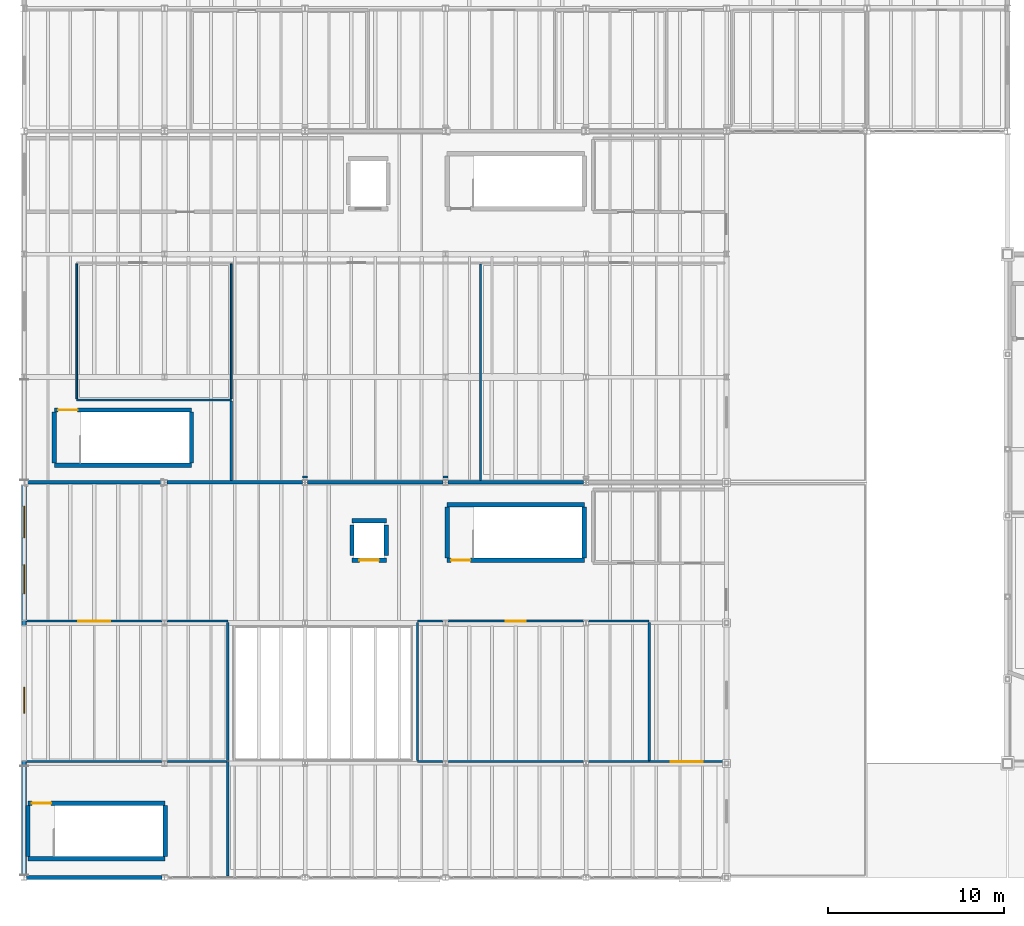
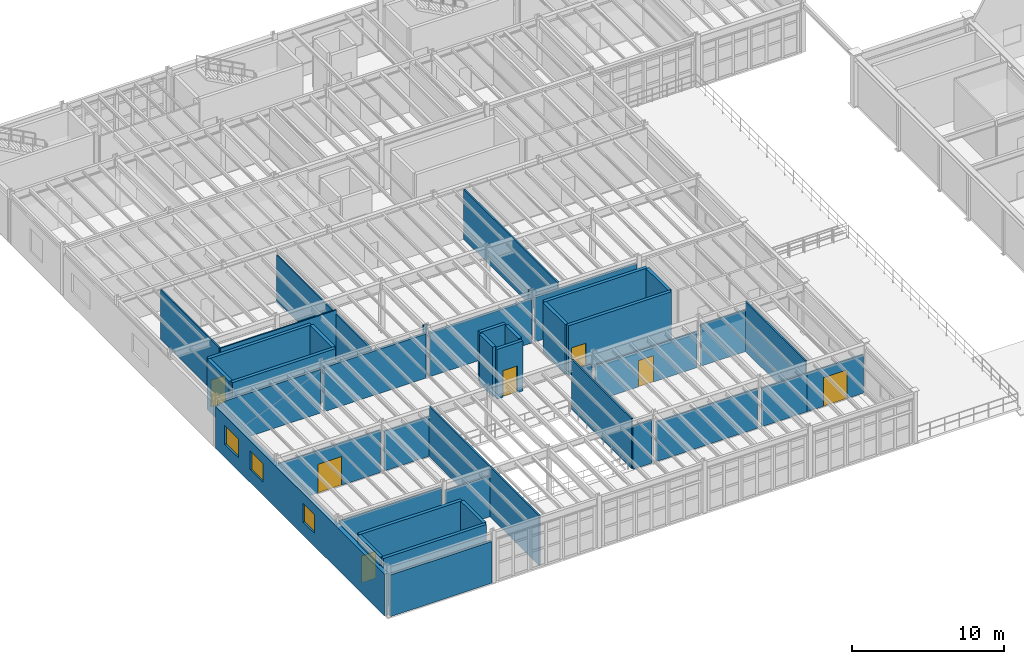
# One storey, part 58 of 78: 44 walls, 7 doors, 3 windows, 10 openings.
"""IFC4 building model written with IfcOpenShell, lengths in metres."""

import ifcopenshell
import ifcopenshell.guid

model = None  # the IFC model being written
_history = None  # IfcOwnerHistory: only IFC2X3 demands one
_inside = {}  # id of a spatial element -> (the spatial element, [elements in it])
_under = {}  # id of a project, library or spatial element -> (it, [spatial elements below it])
_declared = {}  # id of a project -> (the project, [libraries it declares])
_typed = {}  # id of a type object -> (the type object, [elements of that type])
_made_of = {}  # id of a material, layer set ... -> (it, [elements and type objects made of it])


def new_model(schema):
    """Start an empty IFC model of exactly this schema.

    Asked for "IFC4X3", IfcOpenShell would pick the latest addendum, in which some entities
    have other attributes; the version numbers below select the first issue.
    IFC2X3 requires an IfcOwnerHistory on every rooted entity: one is made here for all.
    """
    global model, _history
    if schema == "IFC4X3":
        model = ifcopenshell.file(schema_version=(4, 3, 0, 0))
    else:
        model = ifcopenshell.file(schema=schema)
    _inside.clear()
    _under.clear()
    _declared.clear()
    _typed.clear()
    _made_of.clear()
    _history = None
    if model.schema == "IFC2X3":
        org = make("IfcOrganization", Name="unknown")
        user = make(
            "IfcPersonAndOrganization",
            ThePerson=make("IfcPerson", FamilyName="unknown"),
            TheOrganization=org,
        )
        app = make(
            "IfcApplication",
            ApplicationDeveloper=org,
            Version="unknown",
            ApplicationFullName="unknown",
            ApplicationIdentifier="unknown",
        )
        _history = make(
            "IfcOwnerHistory",
            OwningUser=user,
            OwningApplication=app,
            ChangeAction="ADDED",
            CreationDate=0,
        )
    return model


def make(cls, **values):
    """One entity of the class cls with the attributes given. An attribute that is None is left unset."""
    return model.create_entity(
        cls, **{name: value for name, value in values.items() if value is not None}
    )


def rooted(cls, **values):
    """An entity with a GlobalId (a new one), such as an element, a storey or a relation."""
    return make(cls, GlobalId=ifcopenshell.guid.new(), OwnerHistory=_history, **values)


def si_unit(unit_type, name, prefix=None):
    """IfcSIUnit, for example si_unit("LENGTHUNIT", "METRE", prefix="MILLI")."""
    return make("IfcSIUnit", UnitType=unit_type, Prefix=prefix, Name=name)


def assignment(units):
    """IfcUnitAssignment: the units of a project."""
    return None if units is None else make("IfcUnitAssignment", Units=units)


def point(xyz):
    """IfcCartesianPoint."""
    return None if xyz is None else make("IfcCartesianPoint", Coordinates=xyz)


def direction(xyz):
    """IfcDirection."""
    return None if xyz is None else make("IfcDirection", DirectionRatios=xyz)


def frame(location, z_axis=None, x_axis=None):
    """IfcAxis2Placement3D, a coordinate frame: its origin and axes. An axis left out is left unset."""
    return make(
        "IfcAxis2Placement3D",
        Location=point(location),
        Axis=direction(z_axis),
        RefDirection=direction(x_axis),
    )


def frame_2d(location, x_axis=None):
    """IfcAxis2Placement2D, a coordinate frame in the plane: its origin and x axis."""
    return make(
        "IfcAxis2Placement2D", Location=point(location), RefDirection=direction(x_axis)
    )


def origin():
    """The frame at (0, 0, 0) with its axes left unset."""
    return frame((0.0, 0.0, 0.0))


def place(relative_to, where):
    """IfcLocalPlacement: puts the frame where relative to a parent placement (None: the world)."""
    return make(
        "IfcLocalPlacement", PlacementRelTo=relative_to, RelativePlacement=where
    )


def context(
    kind, dimensions, precision=None, world=None, true_north=None, identifier=None
):
    """IfcGeometricRepresentationContext, for example the 3D "Model" context."""
    return make(
        "IfcGeometricRepresentationContext",
        ContextIdentifier=identifier,
        ContextType=kind,
        CoordinateSpaceDimension=dimensions,
        Precision=precision,
        WorldCoordinateSystem=world,
        TrueNorth=true_north,
    )


def subcontext(parent, identifier, kind, view, scale=None):
    """IfcGeometricRepresentationSubContext, for example "Body" below "Model"."""
    return make(
        "IfcGeometricRepresentationSubContext",
        ContextIdentifier=identifier,
        ContextType=kind,
        ParentContext=parent,
        TargetScale=scale,
        TargetView=view,
    )


def project(units=None, contexts=None):
    """IfcProject with its units and contexts."""
    return rooted(
        "IfcProject",
        Name="project",
        RepresentationContexts=contexts,
        UnitsInContext=assignment(units),
    )


def spatial(cls, under=None, at=None, **own):
    """A site, building, storey or space (cls), placed at a placement, below another one or the project."""
    s = rooted(cls, ObjectPlacement=at, **own)
    if under is not None:
        _under.setdefault(under.id(), (under, []))[1].append(s)
    return s


def profile(cls, at=None, kind="AREA", **sizes):
    """A parametric profile (cls). Its sizes go by their IFC names, for example OverallWidth=200.0."""
    return make(cls, ProfileType=kind, Position=at, **sizes)


def rectangle(**sizes):
    """IfcRectangleProfileDef."""
    return profile("IfcRectangleProfileDef", **sizes)


def extrude(swept, where, along, depth):
    """IfcExtrudedAreaSolid: the profile swept, set in the frame where, extruded along a direction by depth."""
    return make(
        "IfcExtrudedAreaSolid",
        SweptArea=swept,
        Position=where,
        ExtrudedDirection=direction(along),
        Depth=depth,
    )


def shape(context_of_items, identifier, shape_type, items):
    """IfcShapeRepresentation: the items that make up one representation, for example the "Body"."""
    return make(
        "IfcShapeRepresentation",
        ContextOfItems=context_of_items,
        RepresentationIdentifier=identifier,
        RepresentationType=shape_type,
        Items=items,
    )


def material(Name=None, Category=None):
    """IfcMaterial."""
    return make("IfcMaterial", Name=Name, Category=Category)


def layer(
    of_material, thickness, ventilated=None, Name=None, Category=None, Priority=None
):
    """IfcMaterialLayer: one layer of a wall or slab, of a material (None: an air gap)."""
    return make(
        "IfcMaterialLayer",
        Material=of_material,
        LayerThickness=thickness,
        IsVentilated=ventilated,
        Name=Name,
        Category=Category,
        Priority=Priority,
    )


def layer_set(layers, Name=None):
    """IfcMaterialLayerSet."""
    return make("IfcMaterialLayerSet", MaterialLayers=layers, LayerSetName=Name)


def made_of(thing, what):
    """Note that an element or type object is made of a material, layer set ...; save() writes the relation."""
    if what is not None:
        _made_of.setdefault(what.id(), (what, []))[1].append(thing)
    return thing


def type_object(cls, material=None, **own):
    """A type object (cls), such as IfcWallType, which elements share."""
    return made_of(rooted(cls, **own), material)


def element(
    cls,
    number,
    at=None,
    inside=None,
    cuts=None,
    type_object=None,
    material=None,
    context=None,
    identifier="Body",
    shape_type=None,
    held_by="IfcProductDefinitionShape",
    body=None,
    shapes=None,
    **own,
):
    """One element of the class cls, such as IfcWall. Its Tag is "e" and its number.

    at: its placement. inside: the storey or other place that contains it. cuts: it is an
    opening in that element (IfcRelVoidsElement). A single representation is given by context,
    identifier, shape_type and body (its items); several are given by shapes. held_by: the class
    of the entity that holds the representations. save() writes the other relations.
    """
    e = rooted(cls, Tag="e%d" % number, ObjectPlacement=at, **own)
    if body is not None:
        shapes = [shape(context, identifier, shape_type, body)]
    if shapes is not None:
        e.Representation = make(held_by, Representations=shapes)
    if inside is not None:
        _inside.setdefault(inside.id(), (inside, []))[1].append(e)
    if cuts is not None:
        rooted(
            "IfcRelVoidsElement", RelatingBuildingElement=cuts, RelatedOpeningElement=e
        )
    if type_object is not None:
        _typed.setdefault(type_object.id(), (type_object, []))[1].append(e)
    return made_of(e, material)


def fill(opening, filler):
    """IfcRelFillsElement: the door or window that sits in an opening."""
    return rooted(
        "IfcRelFillsElement",
        RelatingOpeningElement=opening,
        RelatedBuildingElement=filler,
    )


def aggregate(whole, parts):
    """IfcRelAggregates: a whole, such as a stair, and the parts it consists of."""
    return rooted("IfcRelAggregates", RelatingObject=whole, RelatedObjects=parts)


def save(model, path):
    """Write the relations noted so far, then the file.

    IfcRelAggregates (storeys below a building ...), IfcRelContainedInSpatialStructure (elements
    in a storey), IfcRelDefinesByType, IfcRelAssociatesMaterial and IfcRelDeclares: one each for
    every whole, place, type object, material and project.
    """
    for whole, parts in _under.values():
        aggregate(whole, parts)
    for where, things in _inside.values():
        rooted(
            "IfcRelContainedInSpatialStructure",
            RelatedElements=things,
            RelatingStructure=where,
        )
    for kind, things in _typed.values():
        rooted("IfcRelDefinesByType", RelatedObjects=things, RelatingType=kind)
    for what, things in _made_of.values():
        rooted("IfcRelAssociatesMaterial", RelatedObjects=things, RelatingMaterial=what)
    for by, libraries in _declared.values():
        rooted("IfcRelDeclares", RelatingContext=by, RelatedDefinitions=libraries)
    model.write(path)


model = new_model("IFC4")

# Units and contexts
model_context = context("Model", 3, precision=1e-05, world=origin(), true_north=direction((0.0, 1.0)))
body_context = subcontext(model_context, "Body", "Model", "MODEL_VIEW")
ifc_project = project(units=[si_unit("LENGTHUNIT", "METRE"), si_unit("AREAUNIT", "SQUARE_METRE"), si_unit("VOLUMEUNIT", "CUBIC_METRE"), si_unit("PLANEANGLEUNIT", "RADIAN"), si_unit("MASSUNIT", "GRAM", prefix="KILO"), si_unit("THERMODYNAMICTEMPERATUREUNIT", "KELVIN"), si_unit("POWERUNIT", "WATT")], contexts=[model_context])

# Site, building, storey
site_placement = place(None, origin())
site = spatial("IfcSite", under=ifc_project, at=site_placement, CompositionType="ELEMENT")
building_placement = place(site_placement, origin())
building = spatial("IfcBuilding", under=site, at=building_placement, Name="Zhenchuan Central Fire Station", CompositionType="ELEMENT")
storey_placement = place(building_placement, frame((0.0, 0.0, 5.85009765625)))
storey = spatial("IfcBuildingStorey", under=building, at=storey_placement, Name="L02", CompositionType="ELEMENT", Elevation=5.85009765625)

# Wall, openings, windows
ifc_material_1 = material(Name="Sintered clay brick masonry MU15", Category="masonry")
ifc_layer_1 = layer(ifc_material_1, 0.300048828125, Name="Sintered clay brick masonry MU15", Category="masonry")
ifc_layer_set_1 = layer_set([ifc_layer_1], Name="Sintered clay brick masonry MU15")
wall_type_1 = type_object("IfcWallType", Name="EW-BRK300", PredefinedType="SOLIDWALL", material=ifc_layer_set_1)
wall_1_placement = place(storey_placement, frame((0.0, 0.14990234375, 0.0), z_axis=(0.0, 0.0, 1.0), x_axis=(0.0, 1.0, 0.0)))
wall_1 = element("IfcWall", 1, at=wall_1_placement, inside=storey, type_object=wall_type_1, Name="EW-L02-V5W", PredefinedType="SOLIDWALL", context=body_context, shape_type="SweptSolid", body=[
    extrude(rectangle(XDim=22.2001953125, YDim=0.300048828125, at=frame_2d((11.10009765625, 0.0))), origin(), (0.0, 0.0, 1.0), 3.343994140625),
])
opening_1_placement = place(wall_1_placement, frame((9.199951171875, 0.0, 1.050048828125)))
opening_1 = element("IfcOpeningElement", 2, at=opening_1_placement, cuts=wall_1, Name="Opening W-16", PredefinedType="OPENING", context=body_context, shape_type="SweptSolid", body=[
    extrude(rectangle(XDim=1.5, YDim=1.5, at=frame_2d((0.75, 0.75))), frame((0.0, 0.159912109375, 0.0), z_axis=(0.0, -1.0, 0.0), x_axis=(1.0, 0.0, 0.0)), (0.0, 0.0, 1.0), 0.320068359375),
])
opening_2_placement = place(wall_1_placement, frame((16.0, 0.0, 1.050048828125)))
opening_2 = element("IfcOpeningElement", 3, at=opening_2_placement, cuts=wall_1, Name="Opening W-17", PredefinedType="OPENING", context=body_context, shape_type="SweptSolid", body=[
    extrude(rectangle(XDim=1.64990234375, YDim=1.5, at=frame_2d((0.824951171875, 0.75))), frame((0.0, 0.159912109375, 0.0), z_axis=(0.0, -1.0, 0.0), x_axis=(1.0, 0.0, 0.0)), (0.0, 0.0, 1.0), 0.320068359375),
])
opening_3_placement = place(wall_1_placement, frame((19.199951171875, 0.0, 1.050048828125)))
opening_3 = element("IfcOpeningElement", 4, at=opening_3_placement, cuts=wall_1, Name="Opening W-18", PredefinedType="OPENING", context=body_context, shape_type="SweptSolid", body=[
    extrude(rectangle(XDim=1.800048828125, YDim=1.5, at=frame_2d((0.89990234375, 0.75))), frame((0.0, 0.159912109375, 0.0), z_axis=(0.0, -1.0, 0.0), x_axis=(1.0, 0.0, 0.0)), (0.0, 0.0, 1.0), 0.320068359375),
])
ifc_material_2 = material(Name="Laminated low-E double glazing in aluminium frame", Category="aluminium")
window_type_1 = type_object("IfcWindowType", Name="WN-16", PartitioningType="SINGLE_PANEL", PredefinedType="WINDOW", material=ifc_material_2)
window_1_placement = place(opening_1_placement, origin())
window_1 = element("IfcWindow", 5, at=window_1_placement, inside=storey, type_object=window_type_1, Name="Exterior Window 0041", OverallHeight=1.5, OverallWidth=1.5, PartitioningType="SINGLE_PANEL", PredefinedType="WINDOW", context=body_context, shape_type="SweptSolid", body=[
    extrude(rectangle(XDim=1.5, YDim=1.5, at=frame_2d((0.75, 0.75))), frame((0.0, 0.030029296875, 0.0), z_axis=(0.0, -1.0, 0.0), x_axis=(1.0, 0.0, 0.0)), (0.0, 0.0, 1.0), 0.06005859375),
])
fill(opening_1, window_1)
window_type_2 = type_object("IfcWindowType", Name="WN-17", PartitioningType="SINGLE_PANEL", PredefinedType="WINDOW", material=ifc_material_2)
window_2_placement = place(opening_2_placement, origin())
window_2 = element("IfcWindow", 6, at=window_2_placement, inside=storey, type_object=window_type_2, Name="Exterior Window 0042", OverallHeight=1.5, OverallWidth=1.64990234375, PartitioningType="SINGLE_PANEL", PredefinedType="WINDOW", context=body_context, shape_type="SweptSolid", body=[
    extrude(rectangle(XDim=1.64990234375, YDim=1.5, at=frame_2d((0.824951171875, 0.75))), frame((0.0, 0.030029296875, 0.0), z_axis=(0.0, -1.0, 0.0), x_axis=(1.0, 0.0, 0.0)), (0.0, 0.0, 1.0), 0.06005859375),
])
fill(opening_2, window_2)
window_type_3 = type_object("IfcWindowType", Name="WN-18", PartitioningType="SINGLE_PANEL", PredefinedType="WINDOW", material=ifc_material_2)
window_3_placement = place(opening_3_placement, origin())
window_3 = element("IfcWindow", 7, at=window_3_placement, inside=storey, type_object=window_type_3, Name="Exterior Window 0043", OverallHeight=1.5, OverallWidth=1.800048828125, PartitioningType="SINGLE_PANEL", PredefinedType="WINDOW", context=body_context, shape_type="SweptSolid", body=[
    extrude(rectangle(XDim=1.800048828125, YDim=1.5, at=frame_2d((0.89990234375, 0.75))), frame((0.0, 0.030029296875, 0.0), z_axis=(0.0, -1.0, 0.0), x_axis=(1.0, 0.0, 0.0)), (0.0, 0.0, 1.0), 0.06005859375),
])
fill(opening_3, window_3)

# Walls
ifc_material_3 = material(Name="Precast concrete C40/50", Category="concrete")
ifc_layer_2 = layer(ifc_material_3, 0.219970703125, Name="Precast concrete C40/50", Category="concrete")
ifc_layer_set_2 = layer_set([ifc_layer_2], Name="Precast concrete C40/50")
wall_type_2 = type_object("IfcWallType", Name="EW-PRC220", PredefinedType="SOLIDWALL", material=ifc_layer_set_2)
wall_2_placement = place(storey_placement, frame((0.14990234375, 0.0, 0.0), z_axis=(0.0, 0.0, 1.0), x_axis=(1.0, 0.0, 0.0)))
element("IfcWall", 8, at=wall_2_placement, inside=storey, type_object=wall_type_2, Name="EW-L02-V5S-1", PredefinedType="SOLIDWALL", context=body_context, shape_type="SweptSolid", body=[
    extrude(rectangle(XDim=7.7001953125, YDim=0.219970703125, at=frame_2d((3.85009765625, 0.0))), origin(), (0.0, 0.0, 1.0), 3.343994140625),
])
ifc_material_4 = material(Name="Autoclaved aerated concrete blockwork", Category="masonry")
ifc_layer_3 = layer(ifc_material_4, 0.199951171875, Name="Autoclaved aerated concrete blockwork", Category="masonry")
ifc_layer_set_3 = layer_set([ifc_layer_3], Name="Autoclaved aerated concrete blockwork")
wall_type_3 = type_object("IfcWallType", Name="IW-FIR200", PredefinedType="PARTITIONING", material=ifc_layer_set_3)
wall_3_placement = place(storey_placement, frame((0.152099609375, 22.5, 0.0), z_axis=(0.0, 0.0, 1.0), x_axis=(1.0, 0.0, 0.0)))
element("IfcWall", 9, at=wall_3_placement, inside=storey, type_object=wall_type_3, Name="L02 Gallery-Workshop Fire Compartment Wall X=0..8", PredefinedType="PARTITIONING", context=body_context, shape_type="SweptSolid", body=[
    extrude(rectangle(XDim=7.69580078125, YDim=0.199951171875, at=frame_2d((3.847900390625, 0.0))), origin(), (0.0, 0.0, 1.0), 3.493896484375),
])
wall_4_placement = place(storey_placement, frame((8.152099609375, 22.5, 0.0), z_axis=(0.0, 0.0, 1.0), x_axis=(1.0, 0.0, 0.0)))
element("IfcWall", 10, at=wall_4_placement, inside=storey, type_object=wall_type_3, Name="L02 Gallery-Workshop Fire Compartment Wall X=8..16", PredefinedType="PARTITIONING", context=body_context, shape_type="SweptSolid", body=[
    extrude(rectangle(XDim=7.69580078125, YDim=0.199951171875, at=frame_2d((3.847900390625, 0.0))), origin(), (0.0, 0.0, 1.0), 3.5439453125),
])
wall_5_placement = place(storey_placement, frame((16.152099609375, 22.5, 0.0), z_axis=(0.0, 0.0, 1.0), x_axis=(1.0, 0.0, 0.0)))
element("IfcWall", 11, at=wall_5_placement, inside=storey, type_object=wall_type_3, Name="L02 Gallery-Workshop Fire Compartment Wall X=16..24", PredefinedType="PARTITIONING", context=body_context, shape_type="SweptSolid", body=[
    extrude(rectangle(XDim=7.69580078125, YDim=0.199951171875, at=frame_2d((3.847900390625, 0.0))), origin(), (0.0, 0.0, 1.0), 3.493896484375),
])
wall_6_placement = place(storey_placement, frame((24.152099609375, 22.5, 0.0), z_axis=(0.0, 0.0, 1.0), x_axis=(1.0, 0.0, 0.0)))
element("IfcWall", 12, at=wall_6_placement, inside=storey, type_object=wall_type_3, Name="L02 Gallery-Workshop Fire Compartment Wall X=24..32", PredefinedType="PARTITIONING", context=body_context, shape_type="SweptSolid", body=[
    extrude(rectangle(XDim=7.69580078125, YDim=0.199951171875, at=frame_2d((3.847900390625, 0.0))), origin(), (0.0, 0.0, 1.0), 3.553955078125),
])
ifc_material_5 = material(Name="Gypsum plasterboard on steel studs", Category="gypsum")
ifc_layer_4 = layer(ifc_material_5, 0.10009765625, Name="Gypsum plasterboard on steel studs", Category="gypsum")
ifc_layer_set_4 = layer_set([ifc_layer_4], Name="Gypsum plasterboard on steel studs")
wall_type_4 = type_object("IfcWallType", Name="IW-GYP100", PredefinedType="PARTITIONING", material=ifc_layer_set_4)
wall_7_placement = place(storey_placement, frame((3.0, 27.199951171875, 0.0), z_axis=(0.0, 0.0, 1.0), x_axis=(1.0, 0.0, 0.0)))
element("IfcWall", 13, at=wall_7_placement, inside=storey, type_object=wall_type_4, Name="Confined Search Training Maze S Partition", PredefinedType="PARTITIONING", context=body_context, shape_type="SweptSolid", body=[
    extrude(rectangle(XDim=8.800048828125, YDim=0.10009765625, at=frame_2d((4.39990234375, 0.0))), origin(), (0.0, 0.0, 1.0), 4.0),
])
wall_8_placement = place(storey_placement, frame((3.0, 27.2529296875, 0.0), z_axis=(0.0, 0.0, 1.0), x_axis=(0.0, 1.0, 0.0)))
element("IfcWall", 14, at=wall_8_placement, inside=storey, type_object=wall_type_4, Name="Confined Search Training Maze W Partition", PredefinedType="PARTITIONING", context=body_context, shape_type="SweptSolid", body=[
    extrude(rectangle(XDim=7.694091796875, YDim=0.10009765625, at=frame_2d((3.84716796875, 0.0))), origin(), (0.0, 0.0, 1.0), 4.0),
])
wall_9_placement = place(storey_placement, frame((11.800048828125, 27.2529296875, 0.0), z_axis=(0.0, 0.0, 1.0), x_axis=(0.0, 1.0, 0.0)))
element("IfcWall", 15, at=wall_9_placement, inside=storey, type_object=wall_type_4, Name="Confined Search Training Maze E Partition", PredefinedType="PARTITIONING", context=body_context, shape_type="SweptSolid", body=[
    extrude(rectangle(XDim=7.694091796875, YDim=0.10009765625, at=frame_2d((3.84716796875, 0.0))), origin(), (0.0, 0.0, 1.0), 3.69384765625),
])
ifc_layer_5 = layer(ifc_material_5, 0.1201171875, Name="Gypsum plasterboard on steel studs", Category="gypsum")
ifc_layer_set_5 = layer_set([ifc_layer_5], Name="Gypsum plasterboard on steel studs")
wall_type_5 = type_object("IfcWallType", Name="IW-GYP120", PredefinedType="PARTITIONING", material=ifc_layer_set_5)
wall_10_placement = place(storey_placement, frame((11.60009765625, 0.0830078125, 0.0), z_axis=(0.0, 0.0, 1.0), x_axis=(0.0, 1.0, 0.0)))
element("IfcWall", 16, at=wall_10_placement, inside=storey, type_object=wall_type_5, Name="Upper Safety Interactive Gallery W Partition", PredefinedType="PARTITIONING", context=body_context, shape_type="SweptSolid", body=[
    extrude(rectangle(XDim=6.51708984375, YDim=0.1201171875, at=frame_2d((3.258544921875, 0.0))), origin(), (0.0, 0.0, 1.0), 4.0),
])

# Wall, opening, door
wall_11_placement = place(storey_placement, frame((35.60009765625, 6.60009765625, 0.0), z_axis=(0.0, 0.0, 1.0), x_axis=(1.0, 0.0, 0.0)))
wall_11 = element("IfcWall", 17, at=wall_11_placement, inside=storey, type_object=wall_type_5, Name="Upper Safety Interactive Gallery N Partition", PredefinedType="PARTITIONING", context=body_context, shape_type="SweptSolid", body=[
    extrude(rectangle(XDim=4.27197265625, YDim=0.1201171875, at=frame_2d((2.135986328125, 0.0))), origin(), (0.0, 0.0, 1.0), 3.093994140625),
])
opening_4_placement = place(wall_11_placement, frame((1.236083984375, 0.0, 0.0)))
opening_4 = element("IfcOpeningElement", 18, at=opening_4_placement, cuts=wall_11, Name="Opening D-120", PredefinedType="OPENING", context=body_context, shape_type="SweptSolid", body=[
    extrude(rectangle(XDim=1.800048828125, YDim=2.300048828125, at=frame_2d((0.89990234375, 1.14990234375))), frame((0.0, 0.070068359375, 0.0), z_axis=(0.0, -1.0, 0.0), x_axis=(1.0, 0.0, 0.0)), (0.0, 0.0, 1.0), 0.14013671875),
])
ifc_material_6 = material(Name="Acoustic timber double assembly door", Category="wood")
door_type_1 = type_object("IfcDoorType", Name="ID-LEC-180x230", OperationType="NOTDEFINED", PredefinedType="DOOR", material=ifc_material_6)
door_1_placement = place(opening_4_placement, origin())
door_1 = element("IfcDoor", 19, at=door_1_placement, inside=storey, type_object=door_type_1, Name="Upper Safety Interactive Gallery Door", OperationType="SINGLE_SWING_RIGHT", OverallHeight=2.300048828125, OverallWidth=1.800048828125, PredefinedType="DOOR", context=body_context, shape_type="SweptSolid", body=[
    extrude(rectangle(XDim=1.800048828125, YDim=2.300048828125, at=frame_2d((0.89990234375, 1.14990234375))), frame((0.0, 0.02490234375, 0.0), z_axis=(0.0, -1.0, 0.0), x_axis=(1.0, 0.0, 0.0)), (0.0, 0.0, 1.0), 0.050048828125),
])
fill(opening_4, door_1)

# Walls
wall_12_placement = place(storey_placement, frame((0.153076171875, 6.60009765625, 0.0), z_axis=(0.0, 0.0, 1.0), x_axis=(1.0, 0.0, 0.0)))
element("IfcWall", 20, at=wall_12_placement, inside=storey, type_object=wall_type_5, Name="Upper Theatre Projection Booth S Partition 1", PredefinedType="PARTITIONING", context=body_context, shape_type="SweptSolid", body=[
    extrude(rectangle(XDim=7.69384765625, YDim=0.1201171875, at=frame_2d((3.846923828125, 0.0))), origin(), (0.0, 0.0, 1.0), 3.65380859375),
])
wall_13_placement = place(storey_placement, frame((8.153076171875, 6.60009765625, 0.0), z_axis=(0.0, 0.0, 1.0), x_axis=(1.0, 0.0, 0.0)))
element("IfcWall", 21, at=wall_13_placement, inside=storey, type_object=wall_type_5, Name="Upper Theatre Projection Booth S Partition 2", PredefinedType="PARTITIONING", context=body_context, shape_type="SweptSolid", body=[
    extrude(rectangle(XDim=3.384033203125, YDim=0.1201171875, at=frame_2d((1.69189453125, 0.0))), origin(), (0.0, 0.0, 1.0), 3.2939453125),
])

# Wall, opening, door
wall_14_placement = place(storey_placement, frame((0.153076171875, 14.60009765625, 0.0), z_axis=(0.0, 0.0, 1.0), x_axis=(1.0, 0.0, 0.0)))
wall_14 = element("IfcWall", 22, at=wall_14_placement, inside=storey, type_object=wall_type_5, Name="Upper Theatre Projection Booth N Partition 1", PredefinedType="PARTITIONING", context=body_context, shape_type="SweptSolid", body=[
    extrude(rectangle(XDim=7.69384765625, YDim=0.1201171875, at=frame_2d((3.846923828125, 0.0))), origin(), (0.0, 0.0, 1.0), 3.406005859375),
])
opening_5_placement = place(wall_14_placement, frame((2.947021484375, 0.0, 0.0)))
opening_5 = element("IfcOpeningElement", 23, at=opening_5_placement, cuts=wall_14, Name="Opening D-121", PredefinedType="OPENING", context=body_context, shape_type="SweptSolid", body=[
    extrude(rectangle(XDim=1.800048828125, YDim=2.300048828125, at=frame_2d((0.89990234375, 1.14990234375))), frame((0.0, 0.070068359375, 0.0), z_axis=(0.0, -1.0, 0.0), x_axis=(1.0, 0.0, 0.0)), (0.0, 0.0, 1.0), 0.14013671875),
])
door_2_placement = place(opening_5_placement, origin())
door_2 = element("IfcDoor", 24, at=door_2_placement, inside=storey, type_object=door_type_1, Name="Upper Theatre Projection Booth Door", OperationType="SINGLE_SWING_LEFT", OverallHeight=2.300048828125, OverallWidth=1.800048828125, PredefinedType="DOOR", context=body_context, shape_type="SweptSolid", body=[
    extrude(rectangle(XDim=1.800048828125, YDim=2.300048828125, at=frame_2d((0.89990234375, 1.14990234375))), frame((0.0, 0.02490234375, 0.0), z_axis=(0.0, -1.0, 0.0), x_axis=(1.0, 0.0, 0.0)), (0.0, 0.0, 1.0), 0.050048828125),
])
fill(opening_5, door_2)

# Walls
wall_15_placement = place(storey_placement, frame((8.153076171875, 14.60009765625, 0.0), z_axis=(0.0, 0.0, 1.0), x_axis=(1.0, 0.0, 0.0)))
element("IfcWall", 25, at=wall_15_placement, inside=storey, type_object=wall_type_5, Name="Upper Theatre Projection Booth N Partition 2", PredefinedType="PARTITIONING", context=body_context, shape_type="SweptSolid", body=[
    extrude(rectangle(XDim=3.447021484375, YDim=0.1201171875, at=frame_2d((1.7236328125, 0.0))), origin(), (0.0, 0.0, 1.0), 3.19384765625),
])
wall_16_placement = place(storey_placement, frame((11.60009765625, 6.6630859375, 0.0), z_axis=(0.0, 0.0, 1.0), x_axis=(0.0, 1.0, 0.0)))
element("IfcWall", 26, at=wall_16_placement, inside=storey, type_object=wall_type_5, Name="Upper Theatre Projection Booth E Partition", PredefinedType="PARTITIONING", context=body_context, shape_type="SweptSolid", body=[
    extrude(rectangle(XDim=7.8740234375, YDim=0.1201171875, at=frame_2d((3.93701171875, 0.0))), origin(), (0.0, 0.0, 1.0), 4.0),
])
wall_17_placement = place(storey_placement, frame((22.39990234375, 6.60009765625, 0.0), z_axis=(0.0, 0.0, 1.0), x_axis=(1.0, 0.0, 0.0)))
element("IfcWall", 27, at=wall_17_placement, inside=storey, type_object=wall_type_5, Name="Youth Fire-Safety Classroom S Partition 1", PredefinedType="PARTITIONING", context=body_context, shape_type="SweptSolid", body=[
    extrude(rectangle(XDim=1.447021484375, YDim=0.1201171875, at=frame_2d((0.7236328125, 0.0))), origin(), (0.0, 0.0, 1.0), 3.493896484375),
])
wall_18_placement = place(storey_placement, frame((24.153076171875, 6.60009765625, 0.0), z_axis=(0.0, 0.0, 1.0), x_axis=(1.0, 0.0, 0.0)))
element("IfcWall", 28, at=wall_18_placement, inside=storey, type_object=wall_type_5, Name="Youth Fire-Safety Classroom S Partition 2", PredefinedType="PARTITIONING", context=body_context, shape_type="SweptSolid", body=[
    extrude(rectangle(XDim=7.69384765625, YDim=0.1201171875, at=frame_2d((3.846923828125, 0.0))), origin(), (0.0, 0.0, 1.0), 3.19384765625),
])
wall_19_placement = place(storey_placement, frame((32.153076171875, 6.60009765625, 0.0), z_axis=(0.0, 0.0, 1.0), x_axis=(1.0, 0.0, 0.0)))
element("IfcWall", 29, at=wall_19_placement, inside=storey, type_object=wall_type_5, Name="Youth Fire-Safety Classroom S Partition 3", PredefinedType="PARTITIONING", context=body_context, shape_type="SweptSolid", body=[
    extrude(rectangle(XDim=3.44384765625, YDim=0.1201171875, at=frame_2d((1.721923828125, 0.0))), origin(), (0.0, 0.0, 1.0), 3.093994140625),
])
wall_20_placement = place(storey_placement, frame((22.39990234375, 14.60009765625, 0.0), z_axis=(0.0, 0.0, 1.0), x_axis=(1.0, 0.0, 0.0)))
element("IfcWall", 30, at=wall_20_placement, inside=storey, type_object=wall_type_5, Name="Youth Fire-Safety Classroom N Partition 1", PredefinedType="PARTITIONING", context=body_context, shape_type="SweptSolid", body=[
    extrude(rectangle(XDim=1.447021484375, YDim=0.1201171875, at=frame_2d((0.7236328125, 0.0))), origin(), (0.0, 0.0, 1.0), 3.093994140625),
])

# Wall, opening, door
wall_21_placement = place(storey_placement, frame((24.153076171875, 14.60009765625, 0.0), z_axis=(0.0, 0.0, 1.0), x_axis=(1.0, 0.0, 0.0)))
wall_21 = element("IfcWall", 31, at=wall_21_placement, inside=storey, type_object=wall_type_5, Name="Youth Fire-Safety Classroom N Partition 2", PredefinedType="PARTITIONING", context=body_context, shape_type="SweptSolid", body=[
    extrude(rectangle(XDim=7.69384765625, YDim=0.1201171875, at=frame_2d((3.846923828125, 0.0))), origin(), (0.0, 0.0, 1.0), 2.893798828125),
])
opening_6_placement = place(wall_21_placement, frame((3.27197265625, 0.0, 0.0)))
opening_6 = element("IfcOpeningElement", 32, at=opening_6_placement, cuts=wall_21, Name="Opening D-122", PredefinedType="OPENING", context=body_context, shape_type="SweptSolid", body=[
    extrude(rectangle(XDim=1.14990234375, YDim=2.10009765625, at=frame_2d((0.574951171875, 1.050048828125))), frame((0.0, 0.070068359375, 0.0), z_axis=(0.0, -1.0, 0.0), x_axis=(1.0, 0.0, 0.0)), (0.0, 0.0, 1.0), 0.14013671875),
])
ifc_material_7 = material(Name="Glazed vision-panel classroom door")
door_type_2 = type_object("IfcDoorType", Name="ID-CLS-115x210", OperationType="NOTDEFINED", PredefinedType="DOOR", material=ifc_material_7)
door_3_placement = place(opening_6_placement, origin())
door_3 = element("IfcDoor", 33, at=door_3_placement, inside=storey, type_object=door_type_2, Name="Youth Fire-Safety Classroom Door", OperationType="SINGLE_SWING_RIGHT", OverallHeight=2.10009765625, OverallWidth=1.14990234375, PredefinedType="DOOR", context=body_context, shape_type="SweptSolid", body=[
    extrude(rectangle(XDim=1.14990234375, YDim=2.10009765625, at=frame_2d((0.574951171875, 1.050048828125))), frame((0.0, 0.02490234375, 0.0), z_axis=(0.0, -1.0, 0.0), x_axis=(1.0, 0.0, 0.0)), (0.0, 0.0, 1.0), 0.050048828125),
])
fill(opening_6, door_3)

# Walls
wall_22_placement = place(storey_placement, frame((32.153076171875, 14.60009765625, 0.0), z_axis=(0.0, 0.0, 1.0), x_axis=(1.0, 0.0, 0.0)))
element("IfcWall", 34, at=wall_22_placement, inside=storey, type_object=wall_type_5, Name="Youth Fire-Safety Classroom N Partition 3", PredefinedType="PARTITIONING", context=body_context, shape_type="SweptSolid", body=[
    extrude(rectangle(XDim=3.447021484375, YDim=0.1201171875, at=frame_2d((1.7236328125, 0.0))), origin(), (0.0, 0.0, 1.0), 3.343994140625),
])
for number, where, z_axis, x_axis, name in (
    (35, (22.39990234375, 6.6630859375, 0.0), (0.0, 0.0, 1.0), (0.0, 1.0, 0.0), "Youth Fire-Safety Classroom W Partition"),
    (36, (35.60009765625, 6.6630859375, 0.0), (0.0, 0.0, 1.0), (0.0, 1.0, 0.0), "Youth Fire-Safety Classroom E Partition"),
):
    element("IfcWall", number, at=place(storey_placement, frame(where, z_axis=z_axis, x_axis=x_axis)), inside=storey, type_object=wall_type_5, Name=name, PredefinedType="PARTITIONING", context=body_context, shape_type="SweptSolid", body=[
        extrude(rectangle(XDim=7.8740234375, YDim=0.1201171875, at=frame_2d((3.93701171875, 0.0))), origin(), (0.0, 0.0, 1.0), 4.0),
    ])
for number, where, z_axis, x_axis, name in (
    (37, (15.85107421875, 22.800048828125, 0.0), (0.0, 0.0, 1.0), (1.0, 0.0, 0.0), "Breathing-Apparatus Training Chamber S Partition 1"),
    (38, (23.85107421875, 22.800048828125, 0.0), (0.0, 0.0, 1.0), (1.0, 0.0, 0.0), "Breathing-Apparatus Training Chamber S Partition 2"),
):
    element("IfcWall", number, at=place(storey_placement, frame(where, z_axis=z_axis, x_axis=x_axis)), inside=storey, type_object=wall_type_5, Name=name, PredefinedType="PARTITIONING", context=body_context, shape_type="SweptSolid", body=[
        extrude(rectangle(XDim=0.2978515625, YDim=0.1201171875, at=frame_2d((0.14892578125, 0.0))), origin(), (0.0, 0.0, 1.0), 4.0),
    ])
wall_23_placement = place(storey_placement, frame((11.800048828125, 22.60302734375, 0.0), z_axis=(0.0, 0.0, 1.0), x_axis=(0.0, 1.0, 0.0)))
element("IfcWall", 39, at=wall_23_placement, inside=storey, type_object=wall_type_5, Name="Breathing-Apparatus Training Chamber W Partition", PredefinedType="PARTITIONING", context=body_context, shape_type="SweptSolid", body=[
    extrude(rectangle(XDim=4.5439453125, YDim=0.1201171875, at=frame_2d((2.27197265625, 0.0))), origin(), (0.0, 0.0, 1.0), 3.69384765625),
])
wall_24_placement = place(storey_placement, frame((26.0, 22.60302734375, 0.0), z_axis=(0.0, 0.0, 1.0), x_axis=(0.0, 1.0, 0.0)))
element("IfcWall", 40, at=wall_24_placement, inside=storey, type_object=wall_type_5, Name="Breathing-Apparatus Training Chamber E Partition", PredefinedType="PARTITIONING", context=body_context, shape_type="SweptSolid", body=[
    extrude(rectangle(XDim=12.333984375, YDim=0.1201171875, at=frame_2d((6.1669921875, 0.0))), origin(), (0.0, 0.0, 1.0), 4.0),
])
ifc_material_8 = material(Name="Concrete C40/50", Category="concrete")
ifc_layer_6 = layer(ifc_material_8, 0.25, Name="Concrete C40/50", Category="concrete")
ifc_layer_set_6 = layer_set([ifc_layer_6], Name="Concrete C40/50")
wall_type_6 = type_object("IfcWallType", Name="IW-SHR250", PredefinedType="SHEAR", material=ifc_layer_set_6)
wall_25_placement = place(storey_placement, frame((0.22509765625, 1.074951171875, 0.0), z_axis=(0.0, 0.0, 1.0), x_axis=(1.0, 0.0, 0.0)))
element("IfcWall", 41, at=wall_25_placement, inside=storey, type_object=wall_type_6, Name="ST-01 L02 South Core Wall", PredefinedType="SHEAR", context=body_context, shape_type="SweptSolid", body=[
    extrude(rectangle(XDim=7.809814453125, YDim=0.25, at=frame_2d((3.90478515625, 0.0))), origin(), (0.0, 0.0, 1.0), 4.0),
])

# Wall, opening, door
wall_26_placement = place(storey_placement, frame((0.22509765625, 4.22509765625, 0.0), z_axis=(0.0, 0.0, 1.0), x_axis=(1.0, 0.0, 0.0)))
wall_26 = element("IfcWall", 42, at=wall_26_placement, inside=storey, type_object=wall_type_6, Name="ST-01 L02 North Core Wall", PredefinedType="SHEAR", context=body_context, shape_type="SweptSolid", body=[
    extrude(rectangle(XDim=7.809814453125, YDim=0.25, at=frame_2d((3.90478515625, 0.0))), origin(), (0.0, 0.0, 1.0), 4.0),
])
opening_7_placement = place(wall_26_placement, frame((0.219970703125, 0.0, 0.0)))
opening_7 = element("IfcOpeningElement", 43, at=opening_7_placement, cuts=wall_26, Name="Opening D-002", PredefinedType="OPENING", context=body_context, shape_type="SweptSolid", body=[
    extrude(rectangle(XDim=1.10009765625, YDim=2.14990234375, at=frame_2d((0.550048828125, 1.074951171875))), frame((0.0, 0.135009765625, 0.0), z_axis=(0.0, -1.0, 0.0), x_axis=(1.0, 0.0, 0.0)), (0.0, 0.0, 1.0), 0.27001953125),
])
ifc_material_9 = material(Name="Painted steel acoustic fire door", Category="steel")
door_type_3 = type_object("IfcDoorType", Name="ID-ST-110x215", OperationType="NOTDEFINED", PredefinedType="DOOR", material=ifc_material_9)
door_4_placement = place(opening_7_placement, origin())
door_4 = element("IfcDoor", 44, at=door_4_placement, inside=storey, type_object=door_type_3, Name="ST-01 L02 Fire Door", OperationType="SINGLE_SWING_RIGHT", OverallHeight=2.14990234375, OverallWidth=1.10009765625, PredefinedType="DOOR", context=body_context, shape_type="SweptSolid", body=[
    extrude(rectangle(XDim=1.10009765625, YDim=2.14990234375, at=frame_2d((0.550048828125, 1.074951171875))), frame((0.0, 0.02490234375, 0.0), z_axis=(0.0, -1.0, 0.0), x_axis=(1.0, 0.0, 0.0)), (0.0, 0.0, 1.0), 0.050048828125),
])
fill(opening_7, door_4)

# Walls
for number, where, z_axis, x_axis, name in (
    (45, (0.22509765625, 1.199951171875, 0.0), (0.0, 0.0, 1.0), (0.0, 1.0, 0.0), "ST-01 L02 West Core Wall"),
    (46, (8.034912109375, 1.199951171875, 0.0), (0.0, 0.0, 1.0), (0.0, 1.0, 0.0), "ST-01 L02 East Core Wall"),
):
    element("IfcWall", number, at=place(storey_placement, frame(where, z_axis=z_axis, x_axis=x_axis)), inside=storey, type_object=wall_type_6, Name=name, PredefinedType="SHEAR", context=body_context, shape_type="SweptSolid", body=[
        extrude(rectangle(XDim=2.900146484375, YDim=0.25, at=frame_2d((1.4501953125, 0.0))), origin(), (0.0, 0.0, 1.0), 4.0),
    ])

# Wall, opening, door
wall_27_placement = place(storey_placement, frame((24.094970703125, 18.074951171875, 0.0), z_axis=(0.0, 0.0, 1.0), x_axis=(1.0, 0.0, 0.0)))
wall_27 = element("IfcWall", 47, at=wall_27_placement, inside=storey, type_object=wall_type_6, Name="ST-02 L02 South Core Wall", PredefinedType="SHEAR", context=body_context, shape_type="SweptSolid", body=[
    extrude(rectangle(XDim=7.81005859375, YDim=0.25, at=frame_2d((3.905029296875, 0.0))), origin(), (0.0, 0.0, 1.0), 4.0),
])
opening_8_placement = place(wall_27_placement, frame((0.219970703125, 0.0, 0.0)))
opening_8 = element("IfcOpeningElement", 48, at=opening_8_placement, cuts=wall_27, Name="Opening D-004", PredefinedType="OPENING", context=body_context, shape_type="SweptSolid", body=[
    extrude(rectangle(XDim=1.10009765625, YDim=2.14990234375, at=frame_2d((0.550048828125, 1.074951171875))), frame((0.0, 0.135009765625, 0.0), z_axis=(0.0, -1.0, 0.0), x_axis=(1.0, 0.0, 0.0)), (0.0, 0.0, 1.0), 0.27001953125),
])
door_5_placement = place(opening_8_placement, frame((1.10009765625, 0.0, 0.0), z_axis=(0.0, 0.0, 1.0), x_axis=(-1.0, 0.0, 0.0)))
door_5 = element("IfcDoor", 49, at=door_5_placement, inside=storey, type_object=door_type_3, Name="ST-02 L02 Fire Door", OperationType="SINGLE_SWING_RIGHT", OverallHeight=2.14990234375, OverallWidth=1.10009765625, PredefinedType="DOOR", context=body_context, shape_type="SweptSolid", body=[
    extrude(rectangle(XDim=1.10009765625, YDim=2.14990234375, at=frame_2d((0.550048828125, 1.074951171875))), frame((0.0, 0.02490234375, 0.0), z_axis=(0.0, -1.0, 0.0), x_axis=(1.0, 0.0, 0.0)), (0.0, 0.0, 1.0), 0.050048828125),
])
fill(opening_8, door_5)

# Walls
wall_28_placement = place(storey_placement, frame((24.094970703125, 21.22509765625, 0.0), z_axis=(0.0, 0.0, 1.0), x_axis=(1.0, 0.0, 0.0)))
element("IfcWall", 50, at=wall_28_placement, inside=storey, type_object=wall_type_6, Name="ST-02 L02 North Core Wall", PredefinedType="SHEAR", context=body_context, shape_type="SweptSolid", body=[
    extrude(rectangle(XDim=7.81005859375, YDim=0.25, at=frame_2d((3.905029296875, 0.0))), origin(), (0.0, 0.0, 1.0), 4.0),
])
for number, where, z_axis, x_axis, name in (
    (51, (24.094970703125, 18.199951171875, 0.0), (0.0, 0.0, 1.0), (0.0, 1.0, 0.0), "ST-02 L02 West Core Wall"),
    (52, (31.905029296875, 18.199951171875, 0.0), (0.0, 0.0, 1.0), (0.0, 1.0, 0.0), "ST-02 L02 East Core Wall"),
):
    element("IfcWall", number, at=place(storey_placement, frame(where, z_axis=z_axis, x_axis=x_axis)), inside=storey, type_object=wall_type_6, Name=name, PredefinedType="SHEAR", context=body_context, shape_type="SweptSolid", body=[
        extrude(rectangle(XDim=2.900146484375, YDim=0.25, at=frame_2d((1.4501953125, 0.0))), origin(), (0.0, 0.0, 1.0), 4.0),
    ])
wall_29_placement = place(storey_placement, frame((1.72509765625, 23.47509765625, 0.0), z_axis=(0.0, 0.0, 1.0), x_axis=(1.0, 0.0, 0.0)))
element("IfcWall", 53, at=wall_29_placement, inside=storey, type_object=wall_type_6, Name="ST-03 L02 South Core Wall", PredefinedType="SHEAR", context=body_context, shape_type="SweptSolid", body=[
    extrude(rectangle(XDim=7.809814453125, YDim=0.25, at=frame_2d((3.90478515625, 0.0))), origin(), (0.0, 0.0, 1.0), 4.0),
])

# Wall, opening, door
wall_30_placement = place(storey_placement, frame((1.72509765625, 26.625, 0.0), z_axis=(0.0, 0.0, 1.0), x_axis=(1.0, 0.0, 0.0)))
wall_30 = element("IfcWall", 54, at=wall_30_placement, inside=storey, type_object=wall_type_6, Name="ST-03 L02 North Core Wall", PredefinedType="SHEAR", context=body_context, shape_type="SweptSolid", body=[
    extrude(rectangle(XDim=7.809814453125, YDim=0.25, at=frame_2d((3.90478515625, 0.0))), origin(), (0.0, 0.0, 1.0), 4.0),
])
opening_9_placement = place(wall_30_placement, frame((0.219970703125, 0.0, 0.0)))
opening_9 = element("IfcOpeningElement", 55, at=opening_9_placement, cuts=wall_30, Name="Opening D-006", PredefinedType="OPENING", context=body_context, shape_type="SweptSolid", body=[
    extrude(rectangle(XDim=1.10009765625, YDim=2.14990234375, at=frame_2d((0.550048828125, 1.074951171875))), frame((0.0, 0.135009765625, 0.0), z_axis=(0.0, -1.0, 0.0), x_axis=(1.0, 0.0, 0.0)), (0.0, 0.0, 1.0), 0.27001953125),
])
door_6_placement = place(opening_9_placement, origin())
door_6 = element("IfcDoor", 56, at=door_6_placement, inside=storey, type_object=door_type_3, Name="ST-03 L02 Fire Door", OperationType="SINGLE_SWING_RIGHT", OverallHeight=2.14990234375, OverallWidth=1.10009765625, PredefinedType="DOOR", context=body_context, shape_type="SweptSolid", body=[
    extrude(rectangle(XDim=1.10009765625, YDim=2.14990234375, at=frame_2d((0.550048828125, 1.074951171875))), frame((0.0, 0.02490234375, 0.0), z_axis=(0.0, -1.0, 0.0), x_axis=(1.0, 0.0, 0.0)), (0.0, 0.0, 1.0), 0.050048828125),
])
fill(opening_9, door_6)

# Walls
for number, where, z_axis, x_axis, name in (
    (57, (1.72509765625, 23.60009765625, 0.0), (0.0, 0.0, 1.0), (0.0, 1.0, 0.0), "ST-03 L02 West Core Wall"),
    (58, (9.534912109375, 23.60009765625, 0.0), (0.0, 0.0, 1.0), (0.0, 1.0, 0.0), "ST-03 L02 East Core Wall"),
):
    element("IfcWall", number, at=place(storey_placement, frame(where, z_axis=z_axis, x_axis=x_axis)), inside=storey, type_object=wall_type_6, Name=name, PredefinedType="SHEAR", context=body_context, shape_type="SweptSolid", body=[
        extrude(rectangle(XDim=2.89990234375, YDim=0.25, at=frame_2d((1.449951171875, 0.0))), origin(), (0.0, 0.0, 1.0), 4.0),
    ])

# Wall, opening, door
wall_31_placement = place(storey_placement, frame((18.675048828125, 18.074951171875, 0.0), z_axis=(0.0, 0.0, 1.0), x_axis=(1.0, 0.0, 0.0)))
wall_31 = element("IfcWall", 59, at=wall_31_placement, inside=storey, type_object=wall_type_6, Name="Lift LP-04 L02 South Shaft Wall", PredefinedType="SHEAR", context=body_context, shape_type="SweptSolid", body=[
    extrude(rectangle(XDim=1.949951171875, YDim=0.25, at=frame_2d((0.97509765625, 0.0))), origin(), (0.0, 0.0, 1.0), 4.0),
])
opening_10_placement = place(wall_31_placement, frame((0.425048828125, 0.0, 0.0)))
opening_10 = element("IfcOpeningElement", 60, at=opening_10_placement, cuts=wall_31, Name="Opening LD-019", PredefinedType="OPENING", context=body_context, shape_type="SweptSolid", body=[
    extrude(rectangle(XDim=1.10009765625, YDim=2.14990234375, at=frame_2d((0.550048828125, 1.074951171875))), frame((0.0, 0.135009765625, 0.0), z_axis=(0.0, -1.0, 0.0), x_axis=(1.0, 0.0, 0.0)), (0.0, 0.0, 1.0), 0.27001953125),
])
ifc_material_10 = material(Name="Brushed stainless steel sliding landing door", Category="steel")
door_type_4 = type_object("IfcDoorType", Name="ID-LD-110x215", OperationType="NOTDEFINED", PredefinedType="DOOR", material=ifc_material_10)
door_7_placement = place(opening_10_placement, origin())
door_7 = element("IfcDoor", 61, at=door_7_placement, inside=storey, type_object=door_type_4, Name="Lift LP-04 L02 Sliding Landing Door", OperationType="DOUBLE_DOOR_SLIDING", OverallHeight=2.14990234375, OverallWidth=1.10009765625, PredefinedType="DOOR", context=body_context, shape_type="SweptSolid", body=[
    extrude(rectangle(XDim=1.10009765625, YDim=2.14990234375, at=frame_2d((0.550048828125, 1.074951171875))), frame((0.0, 0.02490234375, 0.0), z_axis=(0.0, -1.0, 0.0), x_axis=(1.0, 0.0, 0.0)), (0.0, 0.0, 1.0), 0.050048828125),
])
fill(opening_10, door_7)

# Walls
wall_32_placement = place(storey_placement, frame((18.675048828125, 20.324951171875, 0.0), z_axis=(0.0, 0.0, 1.0), x_axis=(1.0, 0.0, 0.0)))
element("IfcWall", 62, at=wall_32_placement, inside=storey, type_object=wall_type_6, Name="Lift LP-04 L02 North Shaft Wall", PredefinedType="SHEAR", context=body_context, shape_type="SweptSolid", body=[
    extrude(rectangle(XDim=1.949951171875, YDim=0.25, at=frame_2d((0.97509765625, 0.0))), origin(), (0.0, 0.0, 1.0), 4.0),
])
for number, where, z_axis, x_axis, name in (
    (63, (18.675048828125, 18.324951171875, 0.0), (0.0, 0.0, 1.0), (0.0, 1.0, 0.0), "Lift LP-04 L02 West Shaft Wall"),
    (64, (20.625, 18.324951171875, 0.0), (0.0, 0.0, 1.0), (0.0, 1.0, 0.0), "Lift LP-04 L02 East Shaft Wall"),
):
    element("IfcWall", number, at=place(storey_placement, frame(where, z_axis=z_axis, x_axis=x_axis)), inside=storey, type_object=wall_type_6, Name=name, PredefinedType="SHEAR", context=body_context, shape_type="SweptSolid", body=[
        extrude(rectangle(XDim=1.75, YDim=0.25, at=frame_2d((0.875, 0.0))), origin(), (0.0, 0.0, 1.0), 4.0),
    ])

save(model, "model.ifc")
